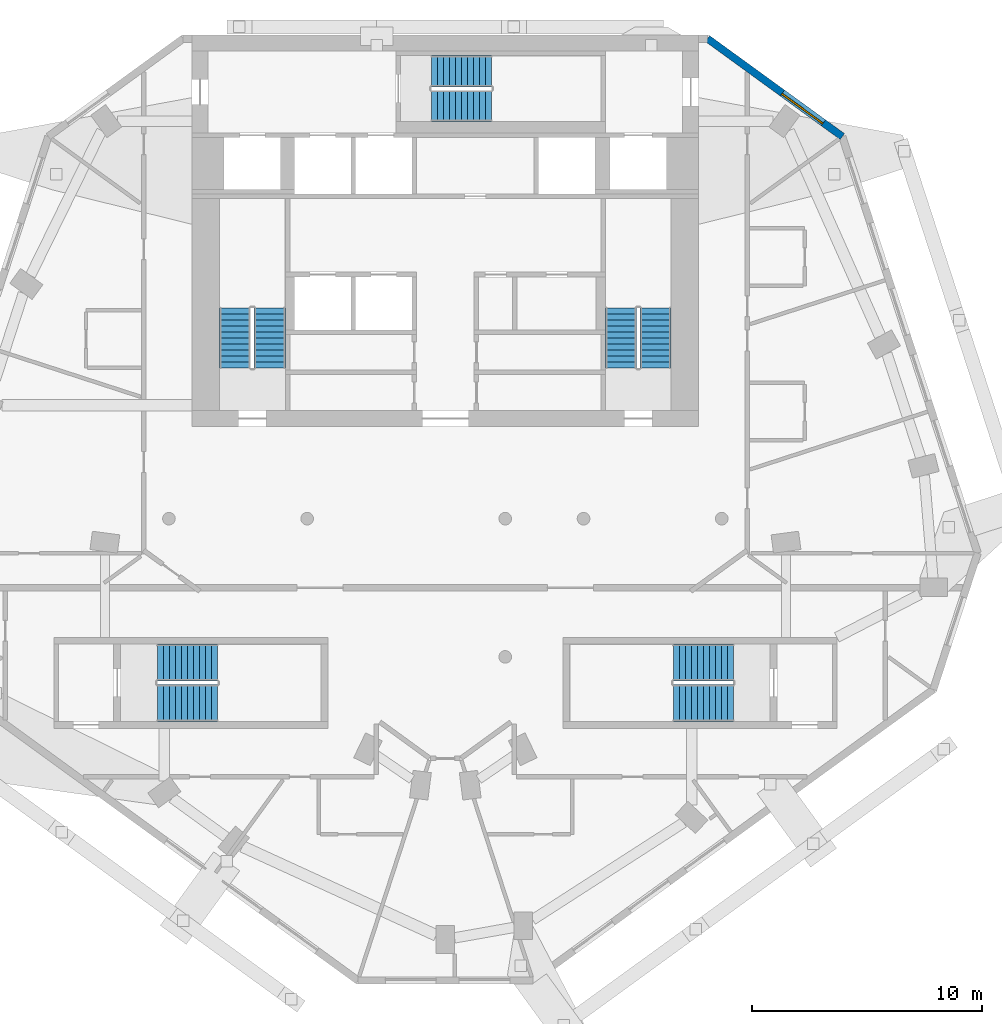
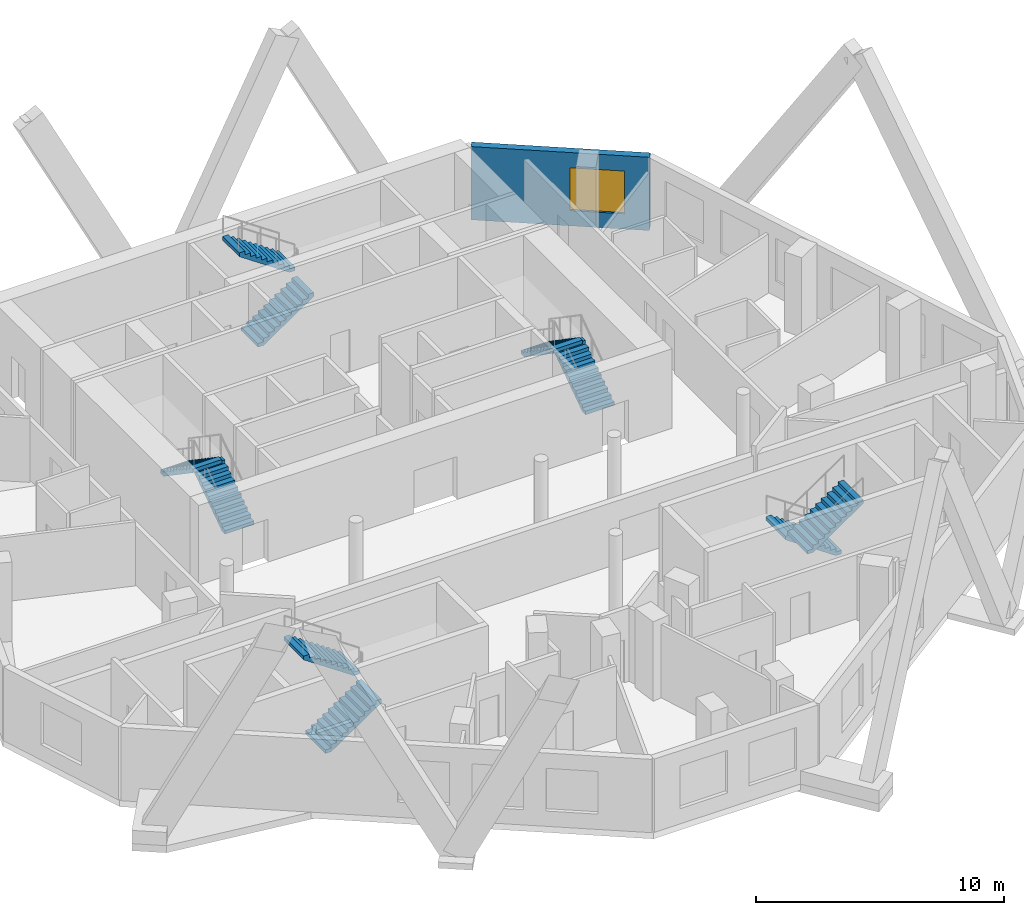
# One storey, part 7 of 9: 10 stair flights, 1 wall, 1 window, 1 opening, 5 elements without a shape of their own.
"""IFC4 building model written with IfcOpenShell, lengths in metres."""

from ifc_helpers import new_model, si_unit, direction, frame, frame_2d, origin, place, context, subcontext, project, spatial, polyline, rectangle, outline, extrude, material, layer, layer_set, type_object, element, fill, aggregate, save


model = new_model("IFC4")

# Units and contexts
model_context = context("Model", 3, precision=1e-05, world=origin(), true_north=direction((0.0, 1.0)))
body_context = subcontext(model_context, "Body", "Model", "MODEL_VIEW")
ifc_project = project(units=[si_unit("LENGTHUNIT", "METRE"), si_unit("AREAUNIT", "SQUARE_METRE"), si_unit("VOLUMEUNIT", "CUBIC_METRE"), si_unit("PLANEANGLEUNIT", "RADIAN"), si_unit("MASSUNIT", "GRAM", prefix="KILO")], contexts=[model_context])

# Site, building, storey
site_placement = place(None, origin())
site = spatial("IfcSite", under=ifc_project, at=site_placement, CompositionType="ELEMENT")
building_placement = place(site_placement, origin())
building = spatial("IfcBuilding", under=site, at=building_placement, Name="White Candle Pilgrim Tower", CompositionType="ELEMENT")
storey_placement = place(building_placement, frame((0.0, 0.0, 271.699951171875)))
storey = spatial("IfcBuildingStorey", under=building, at=storey_placement, Name="L64", CompositionType="ELEMENT", Elevation=271.699951171875)

# Wall, opening, window
ifc_material_1 = material(Name="Precast concrete C40/50", Category="concrete")
ifc_layer_1 = layer(ifc_material_1, 0.320068359375)
ifc_layer_set_1 = layer_set([ifc_layer_1], Name="Facade wall EW1 precast concrete C40/50 pier wall with timber-lined reveals")
wall_type = type_object("IfcWallType", Name="Facade wall EW1 precast concrete C40/50 pier wall with timber-lined reveals", PredefinedType="SOLIDWALL", material=ifc_layer_set_1)
wall_placement = place(storey_placement, frame((87.234375, 83.590087890625, 0.0), z_axis=(0.0, 0.0, 1.0), x_axis=(-0.809004669464, 0.587802215703, 0.0)))
wall = element("IfcWall", 1, at=wall_placement, inside=storey, type_object=wall_type, Name="Facade wall L64 NE chamfer", PredefinedType="SOLIDWALL", context=body_context, shape_type="SweptSolid", body=[
    extrude(rectangle(XDim=7.230224609375, YDim=0.320068359375, at=frame_2d((3.615234375, 0.0))), origin(), (0.0, 0.0, 1.0), 3.60009765625),
])
opening_placement = place(wall_placement, frame((1.01513671875, 0.0, 0.75)))
opening = element("IfcOpeningElement", 2, at=opening_placement, cuts=wall, Name="Opening W4", PredefinedType="OPENING", context=body_context, shape_type="SweptSolid", body=[
    extrude(rectangle(XDim=2.199951171875, YDim=2.10009765625, at=frame_2d((1.10009765625, 1.050048828125))), frame((0.0, 0.169921875, 0.0), z_axis=(0.0, -1.0, 0.0), x_axis=(1.0, 0.0, 0.0)), (0.0, 0.0, 1.0), 0.340087890625),
])
ifc_material_2 = material(Name="Timber frame with triple glazing", Category="wood")
window_type = type_object("IfcWindowType", Name="Window W4 2200x2100 timber frame triple glazing", PartitioningType="SINGLE_PANEL", PredefinedType="WINDOW", material=ifc_material_2)
window_placement = place(opening_placement, origin())
window = element("IfcWindow", 3, at=window_placement, inside=storey, type_object=window_type, Name="Window W4 L64 NE chamfer 1", OverallHeight=2.10009765625, OverallWidth=2.199951171875, PartitioningType="SINGLE_PANEL", PredefinedType="WINDOW", context=body_context, shape_type="SweptSolid", body=[
    extrude(rectangle(XDim=2.199951171875, YDim=2.10009765625, at=frame_2d((1.10009765625, 1.050048828125))), frame((0.0, 0.070068359375, 0.0), z_axis=(0.0, -1.0, 0.0), x_axis=(1.0, 0.0, 0.0)), (0.0, 0.0, 1.0), 0.06005859375),
])
fill(opening, window)

# Stair, stair flights
ifc_material_3 = material(Name="Concrete C40/50", Category="concrete")
stair_type_1 = type_object("IfcStairType", Name="Exit stair 1 flight width 1350 mm", PredefinedType="HALF_TURN_STAIR", material=ifc_material_3)
stair_1_placement = place(storey_placement, origin())
stair_1 = element("IfcStair", 4, at=stair_1_placement, inside=storey, type_object=stair_type_1, Name="L64 stair 1", PredefinedType="NOTDEFINED")
ifc_layer_2 = layer(ifc_material_3, 0.14990234375)
ifc_layer_set_2 = layer_set([ifc_layer_2], Name="Stair flight Concrete C40/50")
stair_flight_type = type_object("IfcStairFlightType", Name="Stair flight Concrete C40/50", PredefinedType="STRAIGHT", material=ifc_layer_set_2)
stair_flight_1_placement = place(storey_placement, frame((62.375, 73.550048828125, 0.0), z_axis=(0.0, 0.0, 1.0), x_axis=(0.0, 1.0, 0.0)))
stair_flight_1 = element("IfcStairFlight", 5, at=stair_flight_1_placement, type_object=stair_flight_type, Name="ST1 flight 1", NumberOfRisers=11, NumberOfTreads=10, PredefinedType="NOTDEFINED", RiserHeight=0.177272727, TreadLength=0.26, context=body_context, shape_type="SweptSolid", body=[
    extrude(outline(polyline([(0.0, 0.0), (0.0, 0.17724609375), (0.260009765625, 0.17724609375), (0.260009765625, 0.3544921875), (0.52001953125, 0.3544921875), (0.52001953125, 0.53173828125), (0.780029296875, 0.53173828125), (0.780029296875, 0.708984375), (1.0400390625, 0.708984375), (1.0400390625, 0.886474609375), (1.300048828125, 0.886474609375), (1.300048828125, 1.063720703125), (1.56005859375, 1.063720703125), (1.56005859375, 1.240966796875), (1.820068359375, 1.240966796875), (1.820068359375, 1.418212890625), (2.080078125, 1.418212890625), (2.080078125, 1.595458984375), (2.340087890625, 1.595458984375), (2.340087890625, 1.772705078125), (2.60009765625, 1.772705078125), (2.60009765625, 1.949951171875), (2.60009765625, 1.59130859375), (0.26611328125, 0.0), (0.0, 0.0)])), frame((0.0, 0.675048828125, 0.0), z_axis=(0.0, -1.0, 0.0), x_axis=(1.0, 0.0, 0.0)), (0.0, 0.0, 1.0), 1.35009765625),
])
stair_flight_2_placement = place(storey_placement, frame((60.875, 76.14990234375, 1.949951171875), z_axis=(0.0, 0.0, 1.0), x_axis=(0.0, -1.0, 0.0)))
stair_flight_2 = element("IfcStairFlight", 6, at=stair_flight_2_placement, type_object=stair_flight_type, Name="ST1 flight 2", NumberOfRisers=11, NumberOfTreads=10, PredefinedType="NOTDEFINED", RiserHeight=0.177272727, TreadLength=0.26, context=body_context, shape_type="SweptSolid", body=[
    extrude(outline(polyline([(0.0, 0.0), (0.0, 0.17724609375), (0.260009765625, 0.17724609375), (0.260009765625, 0.3544921875), (0.52001953125, 0.3544921875), (0.52001953125, 0.53173828125), (0.780029296875, 0.53173828125), (0.780029296875, 0.708984375), (1.0400390625, 0.708984375), (1.0400390625, 0.886474609375), (1.300048828125, 0.886474609375), (1.300048828125, 1.063720703125), (1.56005859375, 1.063720703125), (1.56005859375, 1.240966796875), (1.820068359375, 1.240966796875), (1.820068359375, 1.418212890625), (2.080078125, 1.418212890625), (2.080078125, 1.595458984375), (2.340087890625, 1.595458984375), (2.340087890625, 1.772705078125), (2.60009765625, 1.772705078125), (2.60009765625, 1.949951171875), (2.60009765625, 1.59130859375), (0.26611328125, 0.0), (0.0, 0.0)])), frame((0.0, 0.675048828125, 0.0), z_axis=(0.0, -1.0, 0.0), x_axis=(1.0, 0.0, 0.0)), (0.0, 0.0, 1.0), 1.35009765625),
])
aggregate(stair_1, [stair_flight_1, stair_flight_2])

stair_type_2 = type_object("IfcStairType", Name="Exit stair 2 flight width 1350 mm", PredefinedType="HALF_TURN_STAIR", material=ifc_material_3)
stair_2_placement = place(storey_placement, origin())
stair_2 = element("IfcStair", 7, at=stair_2_placement, inside=storey, type_object=stair_type_2, Name="L64 stair 2", PredefinedType="NOTDEFINED")
stair_flight_3_placement = place(storey_placement, frame((79.125, 73.550048828125, 0.0), z_axis=(0.0, 0.0, 1.0), x_axis=(0.0, 1.0, 0.0)))
stair_flight_3 = element("IfcStairFlight", 8, at=stair_flight_3_placement, type_object=stair_flight_type, Name="ST2 flight 1", NumberOfRisers=11, NumberOfTreads=10, PredefinedType="NOTDEFINED", RiserHeight=0.177272727, TreadLength=0.26, context=body_context, shape_type="SweptSolid", body=[
    extrude(outline(polyline([(0.0, 0.0), (0.0, 0.17724609375), (0.260009765625, 0.17724609375), (0.260009765625, 0.3544921875), (0.52001953125, 0.3544921875), (0.52001953125, 0.53173828125), (0.780029296875, 0.53173828125), (0.780029296875, 0.708984375), (1.0400390625, 0.708984375), (1.0400390625, 0.886474609375), (1.300048828125, 0.886474609375), (1.300048828125, 1.063720703125), (1.56005859375, 1.063720703125), (1.56005859375, 1.240966796875), (1.820068359375, 1.240966796875), (1.820068359375, 1.418212890625), (2.080078125, 1.418212890625), (2.080078125, 1.595458984375), (2.340087890625, 1.595458984375), (2.340087890625, 1.772705078125), (2.60009765625, 1.772705078125), (2.60009765625, 1.949951171875), (2.60009765625, 1.59130859375), (0.26611328125, 0.0), (0.0, 0.0)])), frame((0.0, 0.675048828125, 0.0), z_axis=(0.0, -1.0, 0.0), x_axis=(1.0, 0.0, 0.0)), (0.0, 0.0, 1.0), 1.35009765625),
])
stair_flight_4_placement = place(storey_placement, frame((77.625, 76.14990234375, 1.949951171875), z_axis=(0.0, 0.0, 1.0), x_axis=(0.0, -1.0, 0.0)))
stair_flight_4 = element("IfcStairFlight", 9, at=stair_flight_4_placement, type_object=stair_flight_type, Name="ST2 flight 2", NumberOfRisers=11, NumberOfTreads=10, PredefinedType="NOTDEFINED", RiserHeight=0.177272727, TreadLength=0.26, context=body_context, shape_type="SweptSolid", body=[
    extrude(outline(polyline([(0.0, 0.0), (0.0, 0.17724609375), (0.260009765625, 0.17724609375), (0.260009765625, 0.3544921875), (0.52001953125, 0.3544921875), (0.52001953125, 0.53173828125), (0.780029296875, 0.53173828125), (0.780029296875, 0.708984375), (1.0400390625, 0.708984375), (1.0400390625, 0.886474609375), (1.300048828125, 0.886474609375), (1.300048828125, 1.063720703125), (1.56005859375, 1.063720703125), (1.56005859375, 1.240966796875), (1.820068359375, 1.240966796875), (1.820068359375, 1.418212890625), (2.080078125, 1.418212890625), (2.080078125, 1.595458984375), (2.340087890625, 1.595458984375), (2.340087890625, 1.772705078125), (2.60009765625, 1.772705078125), (2.60009765625, 1.949951171875), (2.60009765625, 1.59130859375), (0.26611328125, 0.0), (0.0, 0.0)])), frame((0.0, 0.675048828125, 0.0), z_axis=(0.0, -1.0, 0.0), x_axis=(1.0, 0.0, 0.0)), (0.0, 0.0, 1.0), 1.35009765625),
])
aggregate(stair_2, [stair_flight_3, stair_flight_4])

stair_type_3 = type_object("IfcStairType", Name="Exit stair 3 flight width 1350 mm", PredefinedType="HALF_TURN_STAIR", material=ifc_material_3)
stair_3_placement = place(storey_placement, origin())
stair_3 = element("IfcStair", 10, at=stair_3_placement, inside=storey, type_object=stair_type_3, Name="L64 stair 3", PredefinedType="NOTDEFINED")
stair_flight_5_placement = place(storey_placement, frame((69.39990234375, 84.925048828125, 0.0), z_axis=(0.0, 0.0, 1.0), x_axis=(1.0, 0.0, 0.0)))
stair_flight_5 = element("IfcStairFlight", 11, at=stair_flight_5_placement, type_object=stair_flight_type, Name="ST3 flight 1", NumberOfRisers=11, NumberOfTreads=10, PredefinedType="NOTDEFINED", RiserHeight=0.177272727, TreadLength=0.26, context=body_context, shape_type="SweptSolid", body=[
    extrude(outline(polyline([(0.0, 0.0), (0.0, 0.17724609375), (0.260009765625, 0.17724609375), (0.260009765625, 0.3544921875), (0.52001953125, 0.3544921875), (0.52001953125, 0.53173828125), (0.780029296875, 0.53173828125), (0.780029296875, 0.708984375), (1.0400390625, 0.708984375), (1.0400390625, 0.886474609375), (1.300048828125, 0.886474609375), (1.300048828125, 1.063720703125), (1.56005859375, 1.063720703125), (1.56005859375, 1.240966796875), (1.820068359375, 1.240966796875), (1.820068359375, 1.418212890625), (2.080078125, 1.418212890625), (2.080078125, 1.595458984375), (2.340087890625, 1.595458984375), (2.340087890625, 1.772705078125), (2.60009765625, 1.772705078125), (2.60009765625, 1.949951171875), (2.60009765625, 1.59130859375), (0.26611328125, 0.0), (0.0, 0.0)])), frame((0.0, 0.675048828125, 0.0), z_axis=(0.0, -1.0, 0.0), x_axis=(1.0, 0.0, 0.0)), (0.0, 0.0, 1.0), 1.35009765625),
])
stair_flight_6_placement = place(storey_placement, frame((72.0, 86.425048828125, 1.949951171875), z_axis=(0.0, 0.0, 1.0), x_axis=(-1.0, 0.0, 0.0)))
stair_flight_6 = element("IfcStairFlight", 12, at=stair_flight_6_placement, type_object=stair_flight_type, Name="ST3 flight 2", NumberOfRisers=11, NumberOfTreads=10, PredefinedType="NOTDEFINED", RiserHeight=0.177272727, TreadLength=0.26, context=body_context, shape_type="SweptSolid", body=[
    extrude(outline(polyline([(0.0, 0.0), (0.0, 0.17724609375), (0.260009765625, 0.17724609375), (0.260009765625, 0.3544921875), (0.52001953125, 0.3544921875), (0.52001953125, 0.53173828125), (0.780029296875, 0.53173828125), (0.780029296875, 0.708984375), (1.0400390625, 0.708984375), (1.0400390625, 0.886474609375), (1.300048828125, 0.886474609375), (1.300048828125, 1.063720703125), (1.56005859375, 1.063720703125), (1.56005859375, 1.240966796875), (1.820068359375, 1.240966796875), (1.820068359375, 1.418212890625), (2.080078125, 1.418212890625), (2.080078125, 1.595458984375), (2.340087890625, 1.595458984375), (2.340087890625, 1.772705078125), (2.60009765625, 1.772705078125), (2.60009765625, 1.949951171875), (2.60009765625, 1.59130859375), (0.26611328125, 0.0), (0.0, 0.0)])), frame((0.0, 0.675048828125, 0.0), z_axis=(0.0, -1.0, 0.0), x_axis=(1.0, 0.0, 0.0)), (0.0, 0.0, 1.0), 1.35009765625),
])
aggregate(stair_3, [stair_flight_5, stair_flight_6])

stair_type_4 = type_object("IfcStairType", Name="Exit stair 4 flight width 1600 mm", PredefinedType="HALF_TURN_STAIR", material=ifc_material_3)
stair_4_placement = place(storey_placement, origin())
stair_4 = element("IfcStair", 13, at=stair_4_placement, inside=storey, type_object=stair_type_4, Name="L64 stair 4", PredefinedType="NOTDEFINED")
stair_flight_7_placement = place(storey_placement, frame((82.5, 60.75, 0.0), z_axis=(0.0, 0.0, 1.0), x_axis=(-1.0, 0.0, 0.0)))
stair_flight_7 = element("IfcStairFlight", 14, at=stair_flight_7_placement, type_object=stair_flight_type, Name="ST4 flight 1", NumberOfRisers=11, NumberOfTreads=10, PredefinedType="NOTDEFINED", RiserHeight=0.177272727, TreadLength=0.26, context=body_context, shape_type="SweptSolid", body=[
    extrude(outline(polyline([(0.0, 0.0), (0.0, 0.17724609375), (0.260009765625, 0.17724609375), (0.260009765625, 0.3544921875), (0.52001953125, 0.3544921875), (0.52001953125, 0.53173828125), (0.780029296875, 0.53173828125), (0.780029296875, 0.708984375), (1.0400390625, 0.708984375), (1.0400390625, 0.886474609375), (1.300048828125, 0.886474609375), (1.300048828125, 1.063720703125), (1.56005859375, 1.063720703125), (1.56005859375, 1.240966796875), (1.820068359375, 1.240966796875), (1.820068359375, 1.418212890625), (2.080078125, 1.418212890625), (2.080078125, 1.595458984375), (2.340087890625, 1.595458984375), (2.340087890625, 1.772705078125), (2.60009765625, 1.772705078125), (2.60009765625, 1.949951171875), (2.60009765625, 1.59130859375), (0.26611328125, 0.0), (0.0, 0.0)])), frame((0.0, 0.800048828125, 0.0), z_axis=(0.0, -1.0, 0.0), x_axis=(1.0, 0.0, 0.0)), (0.0, 0.0, 1.0), 1.60009765625),
])
stair_flight_8_placement = place(storey_placement, frame((79.89990234375, 59.0, 1.949951171875), z_axis=(0.0, 0.0, 1.0), x_axis=(1.0, 0.0, 0.0)))
stair_flight_8 = element("IfcStairFlight", 15, at=stair_flight_8_placement, type_object=stair_flight_type, Name="ST4 flight 2", NumberOfRisers=11, NumberOfTreads=10, PredefinedType="NOTDEFINED", RiserHeight=0.177272727, TreadLength=0.26, context=body_context, shape_type="SweptSolid", body=[
    extrude(outline(polyline([(0.0, 0.0), (0.0, 0.17724609375), (0.260009765625, 0.17724609375), (0.260009765625, 0.3544921875), (0.52001953125, 0.3544921875), (0.52001953125, 0.53173828125), (0.780029296875, 0.53173828125), (0.780029296875, 0.708984375), (1.0400390625, 0.708984375), (1.0400390625, 0.886474609375), (1.300048828125, 0.886474609375), (1.300048828125, 1.063720703125), (1.56005859375, 1.063720703125), (1.56005859375, 1.240966796875), (1.820068359375, 1.240966796875), (1.820068359375, 1.418212890625), (2.080078125, 1.418212890625), (2.080078125, 1.595458984375), (2.340087890625, 1.595458984375), (2.340087890625, 1.772705078125), (2.60009765625, 1.772705078125), (2.60009765625, 1.949951171875), (2.60009765625, 1.59130859375), (0.26611328125, 0.0), (0.0, 0.0)])), frame((0.0, 0.800048828125, 0.0), z_axis=(0.0, -1.0, 0.0), x_axis=(1.0, 0.0, 0.0)), (0.0, 0.0, 1.0), 1.60009765625),
])
aggregate(stair_4, [stair_flight_7, stair_flight_8])

stair_type_5 = type_object("IfcStairType", Name="Exit stair 5 flight width 1600 mm", PredefinedType="HALF_TURN_STAIR", material=ifc_material_3)
stair_5_placement = place(storey_placement, origin())
stair_5 = element("IfcStair", 16, at=stair_5_placement, inside=storey, type_object=stair_type_5, Name="L64 stair 5", PredefinedType="NOTDEFINED")
stair_flight_9_placement = place(storey_placement, frame((57.5, 59.0, 0.0), z_axis=(0.0, 0.0, 1.0), x_axis=(1.0, 0.0, 0.0)))
stair_flight_9 = element("IfcStairFlight", 17, at=stair_flight_9_placement, type_object=stair_flight_type, Name="ST5 flight 1", NumberOfRisers=11, NumberOfTreads=10, PredefinedType="NOTDEFINED", RiserHeight=0.177272727, TreadLength=0.26, context=body_context, shape_type="SweptSolid", body=[
    extrude(outline(polyline([(0.0, 0.0), (0.0, 0.17724609375), (0.260009765625, 0.17724609375), (0.260009765625, 0.3544921875), (0.52001953125, 0.3544921875), (0.52001953125, 0.53173828125), (0.780029296875, 0.53173828125), (0.780029296875, 0.708984375), (1.0400390625, 0.708984375), (1.0400390625, 0.886474609375), (1.300048828125, 0.886474609375), (1.300048828125, 1.063720703125), (1.56005859375, 1.063720703125), (1.56005859375, 1.240966796875), (1.820068359375, 1.240966796875), (1.820068359375, 1.418212890625), (2.080078125, 1.418212890625), (2.080078125, 1.595458984375), (2.340087890625, 1.595458984375), (2.340087890625, 1.772705078125), (2.60009765625, 1.772705078125), (2.60009765625, 1.949951171875), (2.60009765625, 1.59130859375), (0.26611328125, 0.0), (0.0, 0.0)])), frame((0.0, 0.800048828125, 0.0), z_axis=(0.0, -1.0, 0.0), x_axis=(1.0, 0.0, 0.0)), (0.0, 0.0, 1.0), 1.60009765625),
])
stair_flight_10_placement = place(storey_placement, frame((60.10009765625, 60.75, 1.949951171875), z_axis=(0.0, 0.0, 1.0), x_axis=(-1.0, 0.0, 0.0)))
stair_flight_10 = element("IfcStairFlight", 18, at=stair_flight_10_placement, type_object=stair_flight_type, Name="ST5 flight 2", NumberOfRisers=11, NumberOfTreads=10, PredefinedType="NOTDEFINED", RiserHeight=0.177272727, TreadLength=0.26, context=body_context, shape_type="SweptSolid", body=[
    extrude(outline(polyline([(0.0, 0.0), (0.0, 0.17724609375), (0.260009765625, 0.17724609375), (0.260009765625, 0.3544921875), (0.52001953125, 0.3544921875), (0.52001953125, 0.53173828125), (0.780029296875, 0.53173828125), (0.780029296875, 0.708984375), (1.0400390625, 0.708984375), (1.0400390625, 0.886474609375), (1.300048828125, 0.886474609375), (1.300048828125, 1.063720703125), (1.56005859375, 1.063720703125), (1.56005859375, 1.240966796875), (1.820068359375, 1.240966796875), (1.820068359375, 1.418212890625), (2.080078125, 1.418212890625), (2.080078125, 1.595458984375), (2.340087890625, 1.595458984375), (2.340087890625, 1.772705078125), (2.60009765625, 1.772705078125), (2.60009765625, 1.949951171875), (2.60009765625, 1.59130859375), (0.26611328125, 0.0), (0.0, 0.0)])), frame((0.0, 0.800048828125, 0.0), z_axis=(0.0, -1.0, 0.0), x_axis=(1.0, 0.0, 0.0)), (0.0, 0.0, 1.0), 1.60009765625),
])
aggregate(stair_5, [stair_flight_9, stair_flight_10])

save(model, "model.ifc")
